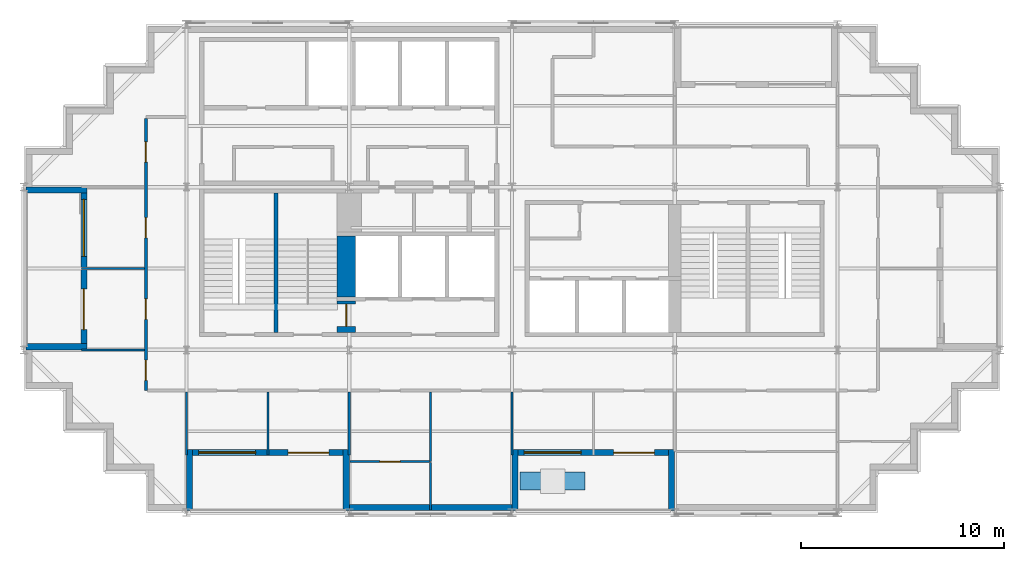
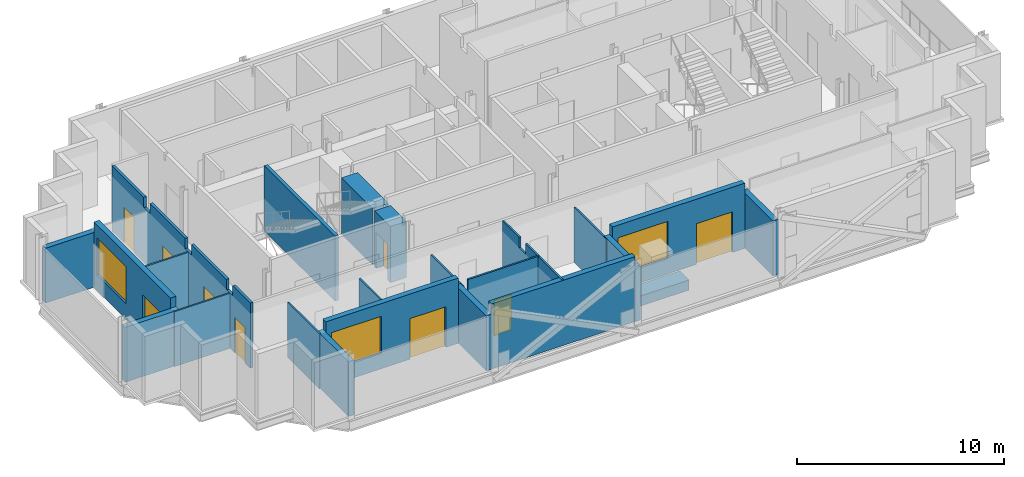
# One storey, part 4 of 10: 24 walls, 9 doors, 3 windows, 12 openings.
"""IFC4 building model written with IfcOpenShell, lengths in metres."""

from ifc_helpers import new_model, si_unit, direction, frame, frame_2d, origin, place, context, subcontext, project, spatial, polyline, rectangle, outline, extrude, material, layer, layer_set, type_object, element, fill, save


model = new_model("IFC4")

# Units and contexts
model_context = context("Model", 3, precision=1e-05, world=origin(), true_north=direction((0.0, 1.0)))
body_context = subcontext(model_context, "Body", "Model", "MODEL_VIEW")
ifc_project = project(units=[si_unit("LENGTHUNIT", "METRE"), si_unit("AREAUNIT", "SQUARE_METRE"), si_unit("VOLUMEUNIT", "CUBIC_METRE"), si_unit("PLANEANGLEUNIT", "RADIAN"), si_unit("MASSUNIT", "GRAM", prefix="KILO")], contexts=[model_context])

# Site, building, storey
site_placement = place(None, origin())
site = spatial("IfcSite", under=ifc_project, at=site_placement, CompositionType="ELEMENT")
building_placement = place(site_placement, origin())
building = spatial("IfcBuilding", under=site, at=building_placement, Name="Immortelle Media Tower", CompositionType="ELEMENT")
storey_placement = place(building_placement, frame((0.0, 0.0, 283.0)))
storey = spatial("IfcBuildingStorey", under=building, at=storey_placement, Name="L62", CompositionType="ELEMENT", Elevation=283.0)

# Wall, openings, doors
ifc_material_1 = material(Name="Fire-rated gypsum board", Category="gypsum")
ifc_layer_1 = layer(ifc_material_1, 0.012451171875)
ifc_material_2 = material(Name="Steel ASTM A653 SS Gr 50 stud frame with mineral wool", Category="steel")
ifc_layer_2 = layer(ifc_material_2, 0.125)
ifc_layer_3 = layer(ifc_material_1, 0.012451171875)
ifc_layer_set_1 = layer_set([ifc_layer_1, ifc_layer_2, ifc_layer_3], Name="Steel ASTM A653 SS Gr 50 stud frame with mineral wool")
wall_type_1 = type_object("IfcWallType", Name="Corridor wall 150", PredefinedType="PARTITIONING", material=ifc_layer_set_1)
wall_1_placement = place(storey_placement, frame((6.0, 6.0, 0.0), z_axis=(0.0, 0.0, 1.0), x_axis=(0.0, 1.0, 0.0)))
wall_1 = element("IfcWall", 1, at=wall_1_placement, inside=storey, type_object=wall_type_1, Name="Partition L62-016", PredefinedType="PARTITIONING", context=body_context, shape_type="SweptSolid", body=[
    extrude(outline(polyline([(0.0, 0.0), (13.375, 0.0), (13.375, 3.85009765625), (10.300048828125, 3.85009765625), (10.298095703125, 3.238037109375), (9.701904296875, 3.238037109375), (9.699951171875, 3.85009765625), (6.300048828125, 3.85009765625), (6.298095703125, 3.238037109375), (5.701904296875, 3.238037109375), (5.699951171875, 3.85009765625), (2.300048828125, 3.85009765625), (2.298095703125, 3.238037109375), (1.701904296875, 3.238037109375), (1.699951171875, 3.85009765625), (0.0, 3.85009765625), (0.0, 0.0)])), frame((0.0, 0.074951171875, 0.0), z_axis=(0.0, -1.0, 0.0), x_axis=(1.0, 0.0, 0.0)), (0.0, 0.0, 1.0), 0.14990234375),
])
opening_1_placement = place(wall_1_placement, frame((0.5, 0.0, 0.0)))
opening_1 = element("IfcOpeningElement", 2, at=opening_1_placement, cuts=wall_1, Name="Opening X5-F012", PredefinedType="OPENING", context=body_context, shape_type="SweptSolid", body=[
    extrude(rectangle(XDim=1.0, YDim=2.10009765625, at=frame_2d((0.5, 1.050048828125))), frame((0.0, 0.0849609375, 0.0), z_axis=(0.0, -1.0, 0.0), x_axis=(1.0, 0.0, 0.0)), (0.0, 0.0, 1.0), 0.169921875),
])
opening_2_placement = place(wall_1_placement, frame((3.5, 0.0, 0.0)))
opening_2 = element("IfcOpeningElement", 3, at=opening_2_placement, cuts=wall_1, Name="Opening X5-F013", PredefinedType="OPENING", context=body_context, shape_type="SweptSolid", body=[
    extrude(rectangle(XDim=1.0, YDim=2.10009765625, at=frame_2d((0.5, 1.050048828125))), frame((0.0, 0.0849609375, 0.0), z_axis=(0.0, -1.0, 0.0), x_axis=(1.0, 0.0, 0.0)), (0.0, 0.0, 1.0), 0.169921875),
])
opening_3_placement = place(wall_1_placement, frame((7.5, 0.0, 0.0)))
opening_3 = element("IfcOpeningElement", 4, at=opening_3_placement, cuts=wall_1, Name="Opening X5-F014", PredefinedType="OPENING", context=body_context, shape_type="SweptSolid", body=[
    extrude(rectangle(XDim=1.0, YDim=2.10009765625, at=frame_2d((0.5, 1.050048828125))), frame((0.0, 0.0849609375, 0.0), z_axis=(0.0, -1.0, 0.0), x_axis=(1.0, 0.0, 0.0)), (0.0, 0.0, 1.0), 0.169921875),
])
opening_4_placement = place(wall_1_placement, frame((12.22509765625, 0.0, 0.0), z_axis=(0.0, 0.0, 1.0), x_axis=(-1.0, 0.0, 0.0)))
opening_4 = element("IfcOpeningElement", 5, at=opening_4_placement, cuts=wall_1, Name="Opening X5-F017", PredefinedType="OPENING", context=body_context, shape_type="SweptSolid", body=[
    extrude(rectangle(XDim=1.0, YDim=2.10009765625, at=frame_2d((0.5, 1.050048828125))), frame((0.0, 0.0849609375, 0.0), z_axis=(0.0, -1.0, 0.0), x_axis=(1.0, 0.0, 0.0)), (0.0, 0.0, 1.0), 0.169921875),
])
ifc_material_3 = material(Name="Timber veneered door leaf, galvanised steel frame ASTM A653", Category="steel")
door_type_1 = type_object("IfcDoorType", Name="Room door 1000 x 2100", OperationType="NOTDEFINED", PredefinedType="DOOR", material=ifc_material_3)
door_1_placement = place(opening_1_placement, origin())
door_1 = element("IfcDoor", 6, at=door_1_placement, inside=storey, type_object=door_type_1, Name="Door X5-F012", OperationType="SINGLE_SWING_RIGHT", OverallHeight=2.10009765625, OverallWidth=1.0, PredefinedType="DOOR", context=body_context, shape_type="SweptSolid", body=[
    extrude(rectangle(XDim=1.0, YDim=2.10009765625, at=frame_2d((0.5, 1.050048828125))), frame((0.0, 0.02490234375, 0.0), z_axis=(0.0, -1.0, 0.0), x_axis=(1.0, 0.0, 0.0)), (0.0, 0.0, 1.0), 0.050048828125),
])
fill(opening_1, door_1)
door_2_placement = place(opening_2_placement, origin())
door_2 = element("IfcDoor", 7, at=door_2_placement, inside=storey, type_object=door_type_1, Name="Door X5-F013", OperationType="SINGLE_SWING_RIGHT", OverallHeight=2.10009765625, OverallWidth=1.0, PredefinedType="DOOR", context=body_context, shape_type="SweptSolid", body=[
    extrude(rectangle(XDim=1.0, YDim=2.10009765625, at=frame_2d((0.5, 1.050048828125))), frame((0.0, 0.02490234375, 0.0), z_axis=(0.0, -1.0, 0.0), x_axis=(1.0, 0.0, 0.0)), (0.0, 0.0, 1.0), 0.050048828125),
])
fill(opening_2, door_2)
door_3_placement = place(opening_3_placement, origin())
door_3 = element("IfcDoor", 8, at=door_3_placement, inside=storey, type_object=door_type_1, Name="Door X5-F014", OperationType="SINGLE_SWING_LEFT", OverallHeight=2.10009765625, OverallWidth=1.0, PredefinedType="DOOR", context=body_context, shape_type="SweptSolid", body=[
    extrude(rectangle(XDim=1.0, YDim=2.10009765625, at=frame_2d((0.5, 1.050048828125))), frame((0.0, 0.02490234375, 0.0), z_axis=(0.0, -1.0, 0.0), x_axis=(1.0, 0.0, 0.0)), (0.0, 0.0, 1.0), 0.050048828125),
])
fill(opening_3, door_3)
door_4_placement = place(opening_4_placement, origin())
door_4 = element("IfcDoor", 9, at=door_4_placement, inside=storey, type_object=door_type_1, Name="Door X5-F017", OperationType="SINGLE_SWING_LEFT", OverallHeight=2.10009765625, OverallWidth=1.0, PredefinedType="DOOR", context=body_context, shape_type="SweptSolid", body=[
    extrude(rectangle(XDim=1.0, YDim=2.10009765625, at=frame_2d((0.5, 1.050048828125))), frame((0.0, 0.02490234375, 0.0), z_axis=(0.0, -1.0, 0.0), x_axis=(1.0, 0.0, 0.0)), (0.0, 0.0, 1.0), 0.050048828125),
])
fill(opening_4, door_4)

# Wall, openings, door, window
ifc_material_4 = material(Name="Pale aluminium cladding panel", Category="aluminium")
ifc_layer_4 = layer(ifc_material_4, 0.030029296875)
ifc_layer_5 = layer(ifc_material_2, 0.257568359375)
ifc_material_5 = material(Name="Moisture-resistant gypsum board", Category="gypsum")
ifc_layer_6 = layer(ifc_material_5, 0.012451171875)
ifc_layer_set_2 = layer_set([ifc_layer_4, ifc_layer_5, ifc_layer_6], Name="Steel ASTM A653 SS Gr 50 stud frame with mineral wool")
wall_type_2 = type_object("IfcWallType", Name="Facade wall 300", PredefinedType="SOLIDWALL", material=ifc_layer_set_2)
wall_2_placement = place(storey_placement, frame((8.300048828125, 2.949951171875, 0.0), z_axis=(0.0, 0.0, 1.0), x_axis=(1.0, 0.0, 0.0)))
wall_2 = element("IfcWall", 10, at=wall_2_placement, inside=storey, type_object=wall_type_2, Name="Loggia wall L62 S6", PredefinedType="SOLIDWALL", context=body_context, shape_type="SweptSolid", body=[
    extrude(rectangle(XDim=7.39990234375, YDim=0.300048828125, at=frame_2d((3.699951171875, 0.0))), origin(), (0.0, 0.0, 1.0), 3.85009765625),
])
opening_5_placement = place(wall_2_placement, frame((0.300048828125, 0.0, 0.89990234375)))
opening_5 = element("IfcOpeningElement", 11, at=opening_5_placement, cuts=wall_2, Name="Opening W1", PredefinedType="OPENING", context=body_context, shape_type="SweptSolid", body=[
    extrude(rectangle(XDim=2.800048828125, YDim=2.199951171875, at=frame_2d((1.39990234375, 1.10009765625))), frame((0.0, 0.159912109375, 0.0), z_axis=(0.0, -1.0, 0.0), x_axis=(1.0, 0.0, 0.0)), (0.0, 0.0, 1.0), 0.320068359375),
])
opening_6_placement = place(wall_2_placement, frame((4.699951171875, 0.0, 0.0)))
opening_6 = element("IfcOpeningElement", 12, at=opening_6_placement, cuts=wall_2, Name="Opening X5-E001", PredefinedType="OPENING", context=body_context, shape_type="SweptSolid", body=[
    extrude(rectangle(XDim=2.0, YDim=2.39990234375, at=frame_2d((1.0, 1.199951171875))), frame((0.0, 0.159912109375, 0.0), z_axis=(0.0, -1.0, 0.0), x_axis=(1.0, 0.0, 0.0)), (0.0, 0.0, 1.0), 0.320068359375),
])
ifc_material_6 = material(Name="Aluminium frame, glazed leaves", Category="aluminium")
door_type_2 = type_object("IfcDoorType", Name="Loggia door 2000 x 2400", OperationType="DOUBLE_DOOR_SINGLE_SWING", PredefinedType="DOOR", material=ifc_material_6)
door_5_placement = place(opening_6_placement, origin())
door_5 = element("IfcDoor", 13, at=door_5_placement, inside=storey, type_object=door_type_2, Name="Door X5-E001", OperationType="DOUBLE_DOOR_SINGLE_SWING", OverallHeight=2.39990234375, OverallWidth=2.0, PredefinedType="DOOR", context=body_context, shape_type="SweptSolid", body=[
    extrude(rectangle(XDim=2.0, YDim=2.39990234375, at=frame_2d((1.0, 1.199951171875))), frame((0.0, 0.02490234375, 0.0), z_axis=(0.0, -1.0, 0.0), x_axis=(1.0, 0.0, 0.0)), (0.0, 0.0, 1.0), 0.050048828125),
])
fill(opening_6, door_5)
ifc_material_7 = material(Name="Aluminium frame", Category="aluminium")
window_type = type_object("IfcWindowType", Name="Window 2800 x 2200", PartitioningType="SINGLE_PANEL", PredefinedType="WINDOW", material=ifc_material_7)
window_1_placement = place(opening_5_placement, origin())
window_1 = element("IfcWindow", 14, at=window_1_placement, inside=storey, type_object=window_type, Name="Window L62 L62-R6-B0", OverallHeight=2.199951171875, OverallWidth=2.800048828125, PartitioningType="SINGLE_PANEL", PredefinedType="WINDOW", context=body_context, shape_type="SweptSolid", body=[
    extrude(rectangle(XDim=2.800048828125, YDim=2.199951171875, at=frame_2d((1.39990234375, 1.10009765625))), frame((0.0, 0.030029296875, 0.0), z_axis=(0.0, -1.0, 0.0), x_axis=(1.0, 0.0, 0.0)), (0.0, 0.0, 1.0), 0.06005859375),
])
fill(opening_5, window_1)

# Walls
wall_3_placement = place(storey_placement, frame((8.14990234375, 0.10009765625, 0.0), z_axis=(0.0, 0.0, 1.0), x_axis=(0.0, 1.0, 0.0)))
element("IfcWall", 15, at=wall_3_placement, inside=storey, type_object=wall_type_2, Name="Loggia cheek wall L62 S", PredefinedType="SOLIDWALL", context=body_context, shape_type="SweptSolid", body=[
    extrude(rectangle(XDim=3.0, YDim=0.300048828125, at=frame_2d((1.5, 0.0))), origin(), (0.0, 0.0, 1.0), 3.237060546875),
])
wall_4_placement = place(storey_placement, frame((15.85009765625, 0.10009765625, 0.0), z_axis=(0.0, 0.0, 1.0), x_axis=(0.0, 1.0, 0.0)))
element("IfcWall", 16, at=wall_4_placement, inside=storey, type_object=wall_type_2, Name="Loggia cheek wall L62 S", PredefinedType="SOLIDWALL", context=body_context, shape_type="SweptSolid", body=[
    extrude(rectangle(XDim=3.0, YDim=0.300048828125, at=frame_2d((1.5, 0.0))), origin(), (0.0, 0.0, 1.0), 3.2470703125),
])
wall_5_placement = place(storey_placement, frame((16.0, 0.25, 0.0), z_axis=(0.0, 0.0, 1.0), x_axis=(1.0, 0.0, 0.0)))
element("IfcWall", 17, at=wall_5_placement, inside=storey, type_object=wall_type_2, Name="Facade wall L62 S6", PredefinedType="SOLIDWALL", context=body_context, shape_type="SweptSolid", body=[
    extrude(rectangle(XDim=8.0, YDim=0.300048828125, at=frame_2d((4.0, 0.0))), origin(), (0.0, 0.0, 1.0), 3.85009765625),
])

# Wall, openings, door, window
wall_6_placement = place(storey_placement, frame((24.300048828125, 2.949951171875, 0.0), z_axis=(0.0, 0.0, 1.0), x_axis=(1.0, 0.0, 0.0)))
wall_6 = element("IfcWall", 18, at=wall_6_placement, inside=storey, type_object=wall_type_2, Name="Loggia wall L62 S6", PredefinedType="SOLIDWALL", context=body_context, shape_type="SweptSolid", body=[
    extrude(rectangle(XDim=7.39990234375, YDim=0.300048828125, at=frame_2d((3.699951171875, 0.0))), origin(), (0.0, 0.0, 1.0), 3.85009765625),
])
opening_7_placement = place(wall_6_placement, frame((0.300048828125, 0.0, 0.89990234375)))
opening_7 = element("IfcOpeningElement", 19, at=opening_7_placement, cuts=wall_6, Name="Opening W1", PredefinedType="OPENING", context=body_context, shape_type="SweptSolid", body=[
    extrude(rectangle(XDim=2.800048828125, YDim=2.199951171875, at=frame_2d((1.39990234375, 1.10009765625))), frame((0.0, 0.159912109375, 0.0), z_axis=(0.0, -1.0, 0.0), x_axis=(1.0, 0.0, 0.0)), (0.0, 0.0, 1.0), 0.320068359375),
])
opening_8_placement = place(wall_6_placement, frame((4.699951171875, 0.0, 0.0)))
opening_8 = element("IfcOpeningElement", 20, at=opening_8_placement, cuts=wall_6, Name="Opening X5-E002", PredefinedType="OPENING", context=body_context, shape_type="SweptSolid", body=[
    extrude(rectangle(XDim=2.0, YDim=2.39990234375, at=frame_2d((1.0, 1.199951171875))), frame((0.0, 0.159912109375, 0.0), z_axis=(0.0, -1.0, 0.0), x_axis=(1.0, 0.0, 0.0)), (0.0, 0.0, 1.0), 0.320068359375),
])
door_6_placement = place(opening_8_placement, origin())
door_6 = element("IfcDoor", 21, at=door_6_placement, inside=storey, type_object=door_type_2, Name="Door X5-E002", OperationType="DOUBLE_DOOR_SINGLE_SWING", OverallHeight=2.39990234375, OverallWidth=2.0, PredefinedType="DOOR", context=body_context, shape_type="SweptSolid", body=[
    extrude(rectangle(XDim=2.0, YDim=2.39990234375, at=frame_2d((1.0, 1.199951171875))), frame((0.0, 0.02490234375, 0.0), z_axis=(0.0, -1.0, 0.0), x_axis=(1.0, 0.0, 0.0)), (0.0, 0.0, 1.0), 0.050048828125),
])
fill(opening_8, door_6)
window_2_placement = place(opening_7_placement, origin())
window_2 = element("IfcWindow", 22, at=window_2_placement, inside=storey, type_object=window_type, Name="Window L62 L62-R6-B2", OverallHeight=2.199951171875, OverallWidth=2.800048828125, PartitioningType="SINGLE_PANEL", PredefinedType="WINDOW", context=body_context, shape_type="SweptSolid", body=[
    extrude(rectangle(XDim=2.800048828125, YDim=2.199951171875, at=frame_2d((1.39990234375, 1.10009765625))), frame((0.0, 0.030029296875, 0.0), z_axis=(0.0, -1.0, 0.0), x_axis=(1.0, 0.0, 0.0)), (0.0, 0.0, 1.0), 0.06005859375),
])
fill(opening_7, window_2)

# Walls
for number, where, z_axis, x_axis, name in (
    (23, (24.14990234375, 0.10009765625, 0.0), (0.0, 0.0, 1.0), (0.0, 1.0, 0.0), "Loggia cheek wall L62 S"),
    (24, (31.85009765625, 0.10009765625, 0.0), (0.0, 0.0, 1.0), (0.0, 1.0, 0.0), "Loggia cheek wall L62 S"),
):
    element("IfcWall", number, at=place(storey_placement, frame(where, z_axis=z_axis, x_axis=x_axis)), inside=storey, type_object=wall_type_2, Name=name, PredefinedType="SOLIDWALL", context=body_context, shape_type="SweptSolid", body=[
        extrude(rectangle(XDim=3.0, YDim=0.300048828125, at=frame_2d((1.5, 0.0))), origin(), (0.0, 0.0, 1.0), 3.2470703125),
    ])

# Wall, openings, door, window
wall_7_placement = place(storey_placement, frame((2.949951171875, 15.699951171875, 0.0), z_axis=(0.0, 0.0, 1.0), x_axis=(0.0, -1.0, 0.0)))
wall_7 = element("IfcWall", 25, at=wall_7_placement, inside=storey, type_object=wall_type_2, Name="Loggia wall L62 W27", PredefinedType="SOLIDWALL", context=body_context, shape_type="SweptSolid", body=[
    extrude(rectangle(XDim=7.39990234375, YDim=0.300048828125, at=frame_2d((3.699951171875, 0.0))), origin(), (0.0, 0.0, 1.0), 3.85009765625),
])
opening_9_placement = place(wall_7_placement, frame((0.300048828125, 0.0, 0.89990234375)))
opening_9 = element("IfcOpeningElement", 26, at=opening_9_placement, cuts=wall_7, Name="Opening W1", PredefinedType="OPENING", context=body_context, shape_type="SweptSolid", body=[
    extrude(rectangle(XDim=2.800048828125, YDim=2.199951171875, at=frame_2d((1.39990234375, 1.10009765625))), frame((0.0, 0.159912109375, 0.0), z_axis=(0.0, -1.0, 0.0), x_axis=(1.0, 0.0, 0.0)), (0.0, 0.0, 1.0), 0.320068359375),
])
opening_10_placement = place(wall_7_placement, frame((4.699951171875, 0.0, 0.0)))
opening_10 = element("IfcOpeningElement", 27, at=opening_10_placement, cuts=wall_7, Name="Opening X5-E006", PredefinedType="OPENING", context=body_context, shape_type="SweptSolid", body=[
    extrude(rectangle(XDim=2.0, YDim=2.39990234375, at=frame_2d((1.0, 1.199951171875))), frame((0.0, 0.159912109375, 0.0), z_axis=(0.0, -1.0, 0.0), x_axis=(1.0, 0.0, 0.0)), (0.0, 0.0, 1.0), 0.320068359375),
])
door_7_placement = place(opening_10_placement, origin())
door_7 = element("IfcDoor", 28, at=door_7_placement, inside=storey, type_object=door_type_2, Name="Door X5-E006", OperationType="DOUBLE_DOOR_SINGLE_SWING", OverallHeight=2.39990234375, OverallWidth=2.0, PredefinedType="DOOR", context=body_context, shape_type="SweptSolid", body=[
    extrude(rectangle(XDim=2.0, YDim=2.39990234375, at=frame_2d((1.0, 1.199951171875))), frame((0.0, 0.02490234375, 0.0), z_axis=(0.0, -1.0, 0.0), x_axis=(1.0, 0.0, 0.0)), (0.0, 0.0, 1.0), 0.050048828125),
])
fill(opening_10, door_7)
window_3_placement = place(opening_9_placement, origin())
window_3 = element("IfcWindow", 29, at=window_3_placement, inside=storey, type_object=window_type, Name="Window L62 L62-R27-B0", OverallHeight=2.199951171875, OverallWidth=2.800048828125, PartitioningType="SINGLE_PANEL", PredefinedType="WINDOW", context=body_context, shape_type="SweptSolid", body=[
    extrude(rectangle(XDim=2.800048828125, YDim=2.199951171875, at=frame_2d((1.39990234375, 1.10009765625))), frame((0.0, 0.030029296875, 0.0), z_axis=(0.0, -1.0, 0.0), x_axis=(1.0, 0.0, 0.0)), (0.0, 0.0, 1.0), 0.06005859375),
])
fill(opening_9, window_3)

# Walls
for number, where, z_axis, x_axis, name in (
    (30, (0.10009765625, 15.85009765625, 0.0), (0.0, 0.0, 1.0), (1.0, 0.0, 0.0), "Loggia cheek wall L62 W"),
    (31, (0.10009765625, 8.14990234375, 0.0), (0.0, 0.0, 1.0), (1.0, 0.0, 0.0), "Loggia cheek wall L62 W"),
):
    element("IfcWall", number, at=place(storey_placement, frame(where, z_axis=z_axis, x_axis=x_axis)), inside=storey, type_object=wall_type_2, Name=name, PredefinedType="SOLIDWALL", context=body_context, shape_type="SweptSolid", body=[
        extrude(rectangle(XDim=3.0, YDim=0.300048828125, at=frame_2d((1.5, 0.0))), origin(), (0.0, 0.0, 1.0), 3.237060546875),
    ])
ifc_material_8 = material(Name="Gypsum board", Category="gypsum")
ifc_layer_7 = layer(ifc_material_8, 0.012451171875)
ifc_layer_8 = layer(ifc_material_2, 0.074951171875)
ifc_layer_9 = layer(ifc_material_8, 0.012451171875)
ifc_layer_set_3 = layer_set([ifc_layer_7, ifc_layer_8, ifc_layer_9], Name="Steel ASTM A653 SS Gr 50 stud frame with mineral wool")
wall_type_3 = type_object("IfcWallType", Name="Partition 100", PredefinedType="PARTITIONING", material=ifc_layer_set_3)
wall_8_placement = place(storey_placement, frame((20.0, 0.1298828125, 0.0), z_axis=(0.0, 0.0, 1.0), x_axis=(0.0, 1.0, 0.0)))
element("IfcWall", 32, at=wall_8_placement, inside=storey, type_object=wall_type_3, Name="Partition L62-001", PredefinedType="PARTITIONING", context=body_context, shape_type="SweptSolid", body=[
    extrude(rectangle(XDim=2.320068359375, YDim=0.10009765625, at=frame_2d((1.16015625, 0.0))), origin(), (0.0, 0.0, 1.0), 3.85009765625),
])

# Wall, opening, door
wall_9_placement = place(storey_placement, frame((16.030029296875, 2.5, 0.0), z_axis=(0.0, 0.0, 1.0), x_axis=(1.0, 0.0, 0.0)))
wall_9 = element("IfcWall", 33, at=wall_9_placement, inside=storey, type_object=wall_type_3, Name="Partition L62-003", PredefinedType="PARTITIONING", context=body_context, shape_type="SweptSolid", body=[
    extrude(rectangle(XDim=3.919921875, YDim=0.10009765625, at=frame_2d((1.9599609375, 0.0))), origin(), (0.0, 0.0, 1.0), 3.85009765625),
])
opening_11_placement = place(wall_9_placement, frame((1.469970703125, 0.0, 0.0)))
opening_11 = element("IfcOpeningElement", 34, at=opening_11_placement, cuts=wall_9, Name="Opening X5-F002", PredefinedType="OPENING", context=body_context, shape_type="SweptSolid", body=[
    extrude(rectangle(XDim=1.0, YDim=2.10009765625, at=frame_2d((0.5, 1.050048828125))), frame((0.0, 0.06005859375, 0.0), z_axis=(0.0, -1.0, 0.0), x_axis=(1.0, 0.0, 0.0)), (0.0, 0.0, 1.0), 0.1201171875),
])
door_8_placement = place(opening_11_placement, origin())
door_8 = element("IfcDoor", 35, at=door_8_placement, inside=storey, type_object=door_type_1, Name="Door X5-F002", OperationType="SINGLE_SWING_LEFT", OverallHeight=2.10009765625, OverallWidth=1.0, PredefinedType="DOOR", context=body_context, shape_type="SweptSolid", body=[
    extrude(rectangle(XDim=1.0, YDim=2.10009765625, at=frame_2d((0.5, 1.050048828125))), frame((0.0, 0.02490234375, 0.0), z_axis=(0.0, -1.0, 0.0), x_axis=(1.0, 0.0, 0.0)), (0.0, 0.0, 1.0), 0.050048828125),
])
fill(opening_11, door_8)

# Walls
wall_10_placement = place(storey_placement, frame((20.0, 2.5, 0.0), z_axis=(0.0, 0.0, 1.0), x_axis=(0.0, 1.0, 0.0)))
element("IfcWall", 36, at=wall_10_placement, inside=storey, type_object=wall_type_3, Name="Partition L62-004", PredefinedType="PARTITIONING", context=body_context, shape_type="SweptSolid", body=[
    extrude(outline(polyline([(0.0, 0.0), (3.425048828125, 0.0), (3.425048828125, 3.85009765625), (1.800048828125, 3.85009765625), (1.798095703125, 3.238037109375), (1.201904296875, 3.238037109375), (1.199951171875, 3.85009765625), (0.0, 3.85009765625), (0.0, 0.0)])), frame((0.0, 0.050048828125, 0.0), z_axis=(0.0, -1.0, 0.0), x_axis=(1.0, 0.0, 0.0)), (0.0, 0.0, 1.0), 0.10009765625),
])
for number, where, z_axis, x_axis, name in (
    (37, (8.0, 2.830078125, 0.0), (0.0, 0.0, 1.0), (0.0, 1.0, 0.0), "Partition L62-005"),
    (38, (12.0, 2.830078125, 0.0), (0.0, 0.0, 1.0), (0.0, 1.0, 0.0), "Partition L62-006"),
    (39, (16.0, 2.830078125, 0.0), (0.0, 0.0, 1.0), (0.0, 1.0, 0.0), "Partition L62-007"),
    (40, (24.0, 2.830078125, 0.0), (0.0, 0.0, 1.0), (0.0, 1.0, 0.0), "Partition L62-008"),
    (41, (2.830078125, 8.0, 0.0), (0.0, 0.0, 1.0), (1.0, 0.0, 0.0), "Partition L62-018"),
    (42, (2.830078125, 12.0, 0.0), (0.0, 0.0, 1.0), (1.0, 0.0, 0.0), "Partition L62-020"),
):
    element("IfcWall", number, at=place(storey_placement, frame(where, z_axis=z_axis, x_axis=x_axis)), inside=storey, type_object=wall_type_3, Name=name, PredefinedType="PARTITIONING", context=body_context, shape_type="SweptSolid", body=[
        extrude(rectangle(XDim=3.094970703125, YDim=0.10009765625, at=frame_2d((1.54736328125, 0.0))), origin(), (0.0, 0.0, 1.0), 3.238037109375),
    ])
ifc_layer_10 = layer(ifc_material_4, 0.0029296875)
ifc_material_9 = material(Name="Steel ASTM A572 Gr 50 planter shell", Category="steel")
ifc_layer_11 = layer(ifc_material_9, 0.011962890625)
ifc_material_10 = material(Name="Planting substrate", Category="soil")
ifc_layer_12 = layer(ifc_material_10, 0.873046875)
ifc_layer_13 = layer(ifc_material_9, 0.011962890625)
ifc_layer_set_4 = layer_set([ifc_layer_10, ifc_layer_11, ifc_layer_12, ifc_layer_13], Name="Steel ASTM A572 Gr 50 planter shell")
wall_type_4 = type_object("IfcWallType", Name="Planter wall 900", PredefinedType="SOLIDWALL", material=ifc_layer_set_4)
wall_11_placement = place(storey_placement, frame((24.39990234375, 1.550048828125, 0.0), z_axis=(0.0, 0.0, 1.0), x_axis=(1.0, 0.0, 0.0)))
element("IfcWall", 43, at=wall_11_placement, inside=storey, type_object=wall_type_4, Name="Planter L62 S2", PredefinedType="SOLIDWALL", context=body_context, shape_type="SweptSolid", body=[
    extrude(rectangle(XDim=3.2001953125, YDim=0.89990234375, at=frame_2d((1.60009765625, 0.0))), origin(), (0.0, 0.0, 1.0), 0.60009765625),
])
ifc_material_11 = material(Name="Concrete C60", Category="concrete")
ifc_layer_14 = layer(ifc_material_11, 0.199951171875)
ifc_layer_set_5 = layer_set([ifc_layer_14], Name="Concrete C60")
wall_type_5 = type_object("IfcWallType", Name="Stair shaft wall 200", PredefinedType="PARTITIONING", material=ifc_layer_set_5)
wall_12_placement = place(storey_placement, frame((12.39990234375, 8.85009765625, 0.0), z_axis=(0.0, 0.0, 1.0), x_axis=(0.0, 1.0, 0.0)))
element("IfcWall", 44, at=wall_12_placement, inside=storey, type_object=wall_type_5, Name="Stair shaft wall SW", PredefinedType="PARTITIONING", context=body_context, shape_type="SweptSolid", body=[
    extrude(rectangle(XDim=6.849853515625, YDim=0.199951171875, at=frame_2d((3.4248046875, 0.0))), origin(), (0.0, 0.0, 1.0), 3.85009765625),
])

# Wall, opening, door
ifc_layer_15 = layer(ifc_material_11, 0.89990234375)
ifc_layer_set_6 = layer_set([ifc_layer_15], Name="Concrete C60")
wall_type_6 = type_object("IfcWallType", Name="Stair shaft wall 900", PredefinedType="PARTITIONING", material=ifc_layer_set_6)
wall_13_placement = place(storey_placement, frame((15.85009765625, 8.85009765625, 0.0), z_axis=(0.0, 0.0, 1.0), x_axis=(0.0, 1.0, 0.0)))
wall_13 = element("IfcWall", 45, at=wall_13_placement, inside=storey, type_object=wall_type_6, Name="Stair shaft wall SW", PredefinedType="PARTITIONING", context=body_context, shape_type="SweptSolid", body=[
    extrude(rectangle(XDim=1.5498046875, YDim=0.89990234375, at=frame_2d((0.77490234375, 0.0))), origin(), (0.0, 0.0, 1.0), 3.318115234375),
])
opening_12_placement = place(wall_13_placement, frame((0.300048828125, 0.0, 0.0)))
opening_12 = element("IfcOpeningElement", 46, at=opening_12_placement, cuts=wall_13, Name="Opening X5-K007", PredefinedType="OPENING", context=body_context, shape_type="SweptSolid", body=[
    extrude(rectangle(XDim=1.10009765625, YDim=2.10009765625, at=frame_2d((0.550048828125, 1.050048828125))), frame((0.0, 0.4599609375, 0.0), z_axis=(0.0, -1.0, 0.0), x_axis=(1.0, 0.0, 0.0)), (0.0, 0.0, 1.0), 0.919921875),
])
ifc_material_12 = material(Name="Galvanised steel door leaf and frame ASTM A653", Category="steel")
door_type_3 = type_object("IfcDoorType", Name="Stair lobby door 1100 x 2100", OperationType="NOTDEFINED", PredefinedType="NOTDEFINED", material=ifc_material_12)
door_9_placement = place(opening_12_placement, origin())
door_9 = element("IfcDoor", 47, at=door_9_placement, inside=storey, type_object=door_type_3, Name="Stair lobby X5-K007", OperationType="SINGLE_SWING_LEFT", OverallHeight=2.10009765625, OverallWidth=1.10009765625, PredefinedType="NOTDEFINED", context=body_context, shape_type="SweptSolid", body=[
    extrude(rectangle(XDim=1.10009765625, YDim=2.10009765625, at=frame_2d((0.550048828125, 1.050048828125))), frame((0.0, 0.02490234375, 0.0), z_axis=(0.0, -1.0, 0.0), x_axis=(1.0, 0.0, 0.0)), (0.0, 0.0, 1.0), 0.050048828125),
])
fill(opening_12, door_9)

# Wall
wall_14_placement = place(storey_placement, frame((15.85009765625, 10.60009765625, 0.0), z_axis=(0.0, 0.0, 1.0), x_axis=(0.0, 1.0, 0.0)))
element("IfcWall", 48, at=wall_14_placement, inside=storey, type_object=wall_type_6, Name="Stair shaft wall SW", PredefinedType="PARTITIONING", context=body_context, shape_type="SweptSolid", body=[
    extrude(rectangle(XDim=3.0, YDim=0.89990234375, at=frame_2d((1.5, 0.0))), origin(), (0.0, 0.0, 1.0), 3.318115234375),
])

save(model, "model.ifc")
